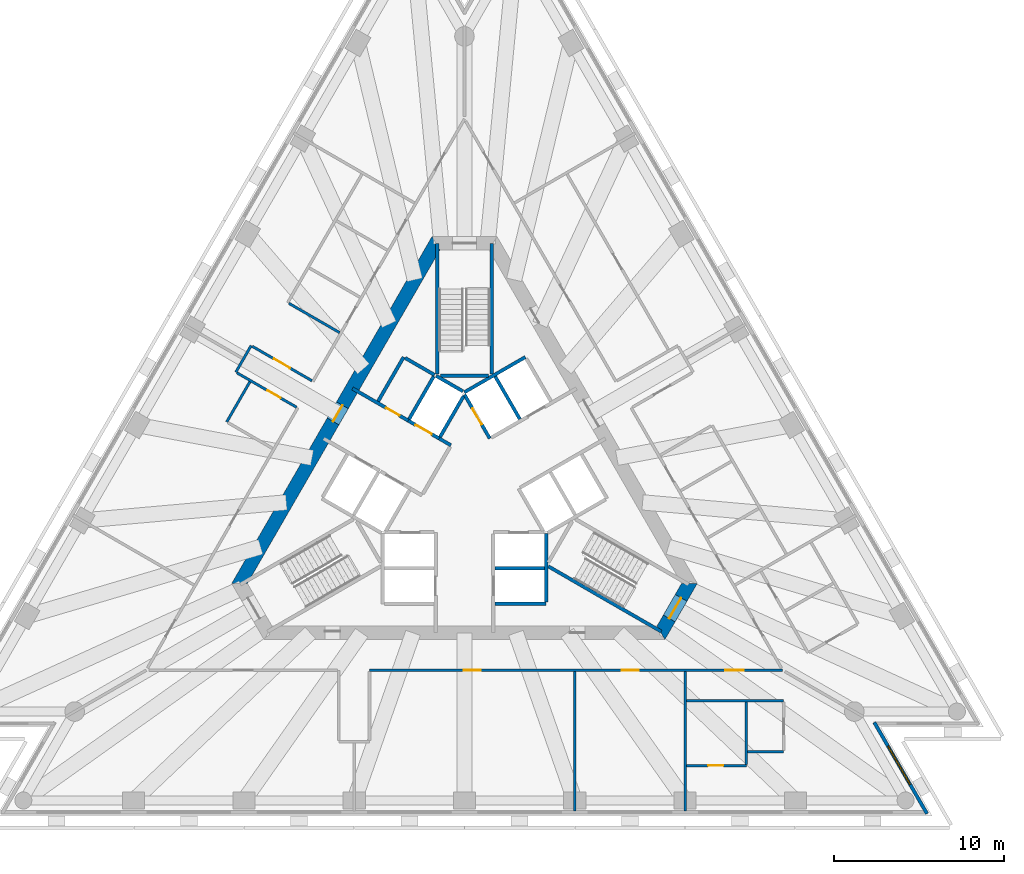
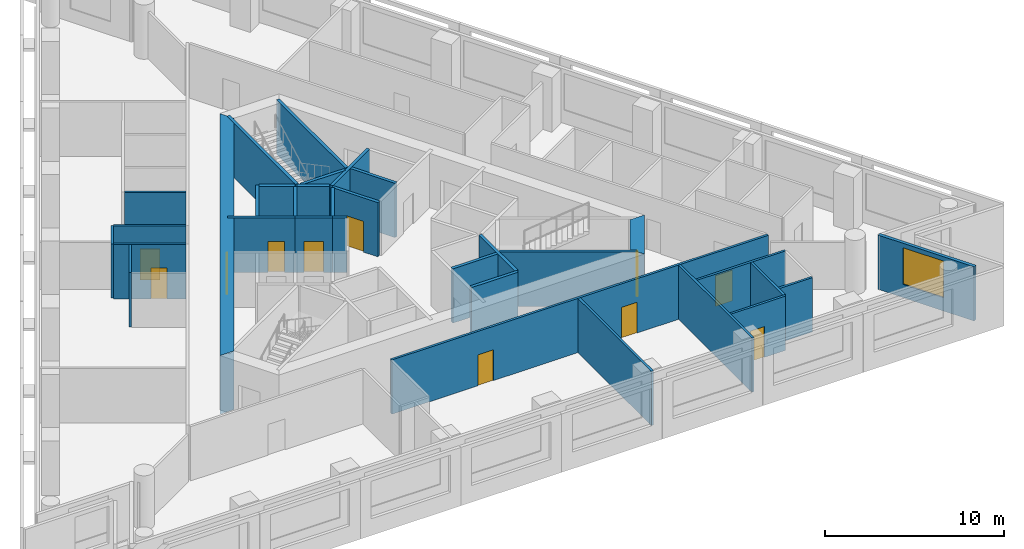
# One storey, part 4 of 9: 33 walls, 11 doors, 1 window, 12 openings.
"""IFC4 building model written with IfcOpenShell, lengths in metres."""

from ifc_helpers import new_model, si_unit, direction, frame, frame_2d, origin, place, context, subcontext, project, spatial, polyline, rectangle, outline, extrude, material, layer, layer_set, layer_usage, type_object, element, fill, save


model = new_model("IFC4")

# Units and contexts
model_context = context("Model", 3, precision=1e-05, world=origin(), true_north=direction((0.0, 1.0)))
body_context = subcontext(model_context, "Body", "Model", "MODEL_VIEW")
ifc_project = project(units=[si_unit("LENGTHUNIT", "METRE"), si_unit("AREAUNIT", "SQUARE_METRE"), si_unit("VOLUMEUNIT", "CUBIC_METRE"), si_unit("PLANEANGLEUNIT", "RADIAN"), si_unit("MASSUNIT", "GRAM", prefix="KILO")], contexts=[model_context])

# Site, building, storey
site_placement = place(None, origin())
site = spatial("IfcSite", under=ifc_project, at=site_placement, CompositionType="ELEMENT")
building_placement = place(site_placement, origin())
building = spatial("IfcBuilding", under=site, at=building_placement, Name="Triada Interchange Tower", CompositionType="ELEMENT")
storey_placement = place(building_placement, frame((0.0, 0.0, 168.300048828125)))
storey = spatial("IfcBuildingStorey", under=building, at=storey_placement, Name="L39", CompositionType="ELEMENT", Elevation=168.300048828125)

# Walls
ifc_material_1 = material(Name="Concrete C30/37", Category="concrete")
ifc_layer_1 = layer(ifc_material_1, 0.199951171875)
ifc_layer_set_1 = layer_set([ifc_layer_1], Name="CORE WALL 200 EI 120")
wall_type_1 = type_object("IfcWallType", Name="CORE WALL 200 EI 120", PredefinedType="SOLIDWALL", material=ifc_layer_set_1)
wall_1_placement = place(storey_placement, frame((1.800048828125, -6.89990234375, 0.0), z_axis=(0.0, 0.0, 1.0), x_axis=(1.0, 0.0, 0.0)))
element("IfcWall", 1, at=wall_1_placement, inside=storey, type_object=wall_type_1, Name="Wall L38 52", PredefinedType="SOLIDWALL", context=body_context, shape_type="SweptSolid", body=[
    extrude(rectangle(XDim=3.0, YDim=0.199951171875, at=frame_2d((1.5, 0.0))), origin(), (0.0, 0.0, 1.0), 3.699951171875),
])
wall_2_placement = place(storey_placement, frame((1.800048828125, -4.800048828125, 0.0), z_axis=(0.0, 0.0, 1.0), x_axis=(1.0, 0.0, 0.0)))
element("IfcWall", 2, at=wall_2_placement, inside=storey, type_object=wall_type_1, Name="Wall L38 54", PredefinedType="SOLIDWALL", context=body_context, shape_type="SweptSolid", body=[
    extrude(rectangle(XDim=2.89990234375, YDim=0.199951171875, at=frame_2d((1.449951171875, 0.0))), origin(), (0.0, 0.0, 1.0), 3.699951171875),
])
wall_3_placement = place(storey_placement, frame((-0.001953125, 5.5419921875, 0.0), z_axis=(0.0, 0.0, 1.0), x_axis=(0.866103910842, 0.499863997127, 0.0)))
element("IfcWall", 3, at=wall_3_placement, inside=storey, type_object=wall_type_1, Name="Wall L38 58", PredefinedType="SOLIDWALL", context=body_context, shape_type="SweptSolid", body=[
    extrude(rectangle(XDim=4.131103515625, YDim=0.199951171875, at=frame_2d((2.0654296875, 0.0))), origin(), (0.0, 0.0, 1.0), 3.699951171875),
])

# Wall, opening, door
wall_4_placement = place(storey_placement, frame((0.0, 5.39990234375, 0.0), z_axis=(0.0, 0.0, 1.0), x_axis=(0.500103862429, -0.865965430478, 0.0)))
wall_4 = element("IfcWall", 4, at=wall_4_placement, inside=storey, type_object=wall_type_1, Name="Wall L38 59", PredefinedType="SOLIDWALL", context=body_context, shape_type="SweptSolid", body=[
    extrude(rectangle(XDim=2.973388671875, YDim=0.199951171875, at=frame_2d((1.48681640625, 0.0))), origin(), (0.0, 0.0, 1.0), 3.699951171875),
])
opening_1_placement = place(wall_4_placement, frame((0.93701171875, 0.0, 0.0)))
opening_1 = element("IfcOpeningElement", 5, at=opening_1_placement, cuts=wall_4, Name="Opening LD-LR5", PredefinedType="OPENING", context=body_context, shape_type="SweptSolid", body=[
    extrude(rectangle(XDim=1.10009765625, YDim=2.10009765625, at=frame_2d((0.550048828125, 1.050048828125))), frame((0.0, 0.10986328125, 0.0), z_axis=(0.0, -1.0, 0.0), x_axis=(1.0, 0.0, 0.0)), (0.0, 0.0, 1.0), 0.219970703125),
])
ifc_material_2 = material(Name="Steel S235 door leaf", Category="steel")
door_type_1 = type_object("IfcDoorType", Name="LIFT LANDING DOOR 1100 EI 120", OperationType="SLIDING_TO_LEFT", PredefinedType="DOOR", material=ifc_material_2)
door_1_placement = place(opening_1_placement, origin())
door_1 = element("IfcDoor", 6, at=door_1_placement, inside=storey, type_object=door_type_1, Name="LR5 landing door L39", OperationType="SLIDING_TO_LEFT", OverallHeight=2.10009765625, OverallWidth=1.10009765625, PredefinedType="DOOR", context=body_context, shape_type="SweptSolid", body=[
    extrude(rectangle(XDim=1.10009765625, YDim=2.10009765625, at=frame_2d((0.550048828125, 1.050048828125))), frame((0.0, 0.02490234375, 0.0), z_axis=(0.0, -1.0, 0.0), x_axis=(1.0, 0.0, 0.0)), (0.0, 0.0, 1.0), 0.050048828125),
])
fill(opening_1, door_1)

# Walls
wall_5_placement = place(storey_placement, frame((4.800048828125, -6.800048828125, 0.0), z_axis=(0.0, 0.0, 1.0), x_axis=(0.0, 1.0, 0.0)))
element("IfcWall", 7, at=wall_5_placement, inside=storey, type_object=wall_type_1, Name="Wall L38 63", PredefinedType="SOLIDWALL", context=body_context, shape_type="SweptSolid", body=[
    extrude(rectangle(XDim=4.029052734375, YDim=0.199951171875, at=frame_2d((2.0146484375, 0.0))), origin(), (0.0, 0.0, 1.0), 3.699951171875),
])
wall_6_placement = place(storey_placement, frame((1.806884765625, 6.469970703125, 0.0), z_axis=(0.0, 0.0, 1.0), x_axis=(0.50012328804, -0.865954211699, 0.0)))
element("IfcWall", 8, at=wall_6_placement, inside=storey, type_object=wall_type_1, Name="Wall L38 66", PredefinedType="SOLIDWALL", context=body_context, shape_type="SweptSolid", body=[
    extrude(rectangle(XDim=2.899658203125, YDim=0.199951171875, at=frame_2d((1.44970703125, 0.0))), origin(), (0.0, 0.0, 1.0), 3.699951171875),
])

# Wall, opening, door
ifc_layer_2 = layer(ifc_material_1, 0.199951171875)
ifc_layer_set_2 = layer_set([ifc_layer_2], Name="CORE WALL 200 EI 180")
wall_type_2 = type_object("IfcWallType", Name="CORE WALL 200 EI 180", PredefinedType="SOLIDWALL", material=ifc_layer_set_2)
wall_7_placement = place(storey_placement, frame((-6.580078125, 5.761962890625, 0.0), z_axis=(0.0, 0.0, 1.0), x_axis=(0.866029704776, -0.49999255039, 0.0)))
wall_7 = element("IfcWall", 9, at=wall_7_placement, inside=storey, type_object=wall_type_2, Name="Wall L38 72", PredefinedType="SOLIDWALL", context=body_context, shape_type="SweptSolid", body=[
    extrude(rectangle(XDim=3.78173828125, YDim=0.199951171875, at=frame_2d((1.890869140625, 0.0))), origin(), (0.0, 0.0, 1.0), 3.699951171875),
])
opening_2_placement = place(wall_7_placement, frame((2.279052734375, 0.0, 0.0)))
opening_2 = element("IfcOpeningElement", 10, at=opening_2_placement, cuts=wall_7, Name="Opening D38-10", PredefinedType="OPENING", context=body_context, shape_type="SweptSolid", body=[
    extrude(rectangle(XDim=0.89990234375, YDim=2.10009765625, at=frame_2d((0.449951171875, 1.050048828125))), frame((0.0, 0.10986328125, 0.0), z_axis=(0.0, -1.0, 0.0), x_axis=(1.0, 0.0, 0.0)), (0.0, 0.0, 1.0), 0.219970703125),
])
door_type_2 = type_object("IfcDoorType", Name="SERVICE DOOR 900 EI2 90-C5S200", OperationType="NOTDEFINED", PredefinedType="DOOR", material=ifc_material_2)
door_2_placement = place(opening_2_placement, origin())
door_2 = element("IfcDoor", 11, at=door_2_placement, inside=storey, type_object=door_type_2, Name="Door D38-10 L39", OperationType="SINGLE_SWING_LEFT", OverallHeight=2.10009765625, OverallWidth=0.89990234375, PredefinedType="DOOR", context=body_context, shape_type="SweptSolid", body=[
    extrude(rectangle(XDim=0.89990234375, YDim=2.10009765625, at=frame_2d((0.449951171875, 1.050048828125))), frame((0.0, 0.02490234375, 0.0), z_axis=(0.0, -1.0, 0.0), x_axis=(1.0, 0.0, 0.0)), (0.0, 0.0, 1.0), 0.050048828125),
])
fill(opening_2, door_2)

# Walls
wall_8_placement = place(storey_placement, frame((-1.488037109375, 2.822021484375, 0.0), z_axis=(0.0, 0.0, 1.0), x_axis=(0.866236612152, -0.499633997809, 0.0)))
element("IfcWall", 12, at=wall_8_placement, inside=storey, type_object=wall_type_2, Name="Wall L38 73", PredefinedType="SOLIDWALL", context=body_context, shape_type="SweptSolid", body=[
    extrude(rectangle(XDim=0.79638671875, YDim=0.199951171875, at=frame_2d((0.398193359375, 0.0))), origin(), (0.0, 0.0, 1.0), 3.699951171875),
])
wall_9_placement = place(storey_placement, frame((-5.075927734375, 5.009033203125, 0.0), z_axis=(0.0, 0.0, 1.0), x_axis=(0.50002537861, 0.866010750942, 0.0)))
element("IfcWall", 13, at=wall_9_placement, inside=storey, type_object=wall_type_2, Name="Wall L38 74", PredefinedType="SOLIDWALL", context=body_context, shape_type="SweptSolid", body=[
    extrude(rectangle(XDim=2.999755859375, YDim=0.199951171875, at=frame_2d((1.5, 0.0))), origin(), (0.0, 0.0, 1.0), 3.699951171875),
])
wall_10_placement = place(storey_placement, frame((-3.489013671875, 7.556884765625, 0.0), z_axis=(0.0, 0.0, 1.0), x_axis=(0.866010750942, -0.50002537861, 0.0)))
element("IfcWall", 14, at=wall_10_placement, inside=storey, type_object=wall_type_2, Name="Wall L38 75", PredefinedType="SOLIDWALL", context=body_context, shape_type="SweptSolid", body=[
    extrude(rectangle(XDim=2.0, YDim=0.199951171875, at=frame_2d((1.0, 0.0))), origin(), (0.0, 0.0, 1.0), 3.699951171875),
])

# Wall, opening, door
wall_11_placement = place(storey_placement, frame((-3.30908203125, 3.873046875, 0.0), z_axis=(0.0, 0.0, 1.0), x_axis=(0.866098583652, -0.499873227325, 0.0)))
wall_11 = element("IfcWall", 15, at=wall_11_placement, inside=storey, type_object=wall_type_2, Name="Shaft wall FF2 L38 81", PredefinedType="SOLIDWALL", context=body_context, shape_type="SweptSolid", body=[
    extrude(rectangle(XDim=2.1025390625, YDim=0.199951171875, at=frame_2d((1.05126953125, 0.0))), origin(), (0.0, 0.0, 1.0), 3.699951171875),
])
opening_3_placement = place(wall_11_placement, frame((0.501953125, 0.0, 0.0)))
opening_3 = element("IfcOpeningElement", 16, at=opening_3_placement, cuts=wall_11, Name="Opening LD-FF2", PredefinedType="OPENING", context=body_context, shape_type="SweptSolid", body=[
    extrude(rectangle(XDim=1.10009765625, YDim=2.10009765625, at=frame_2d((0.550048828125, 1.050048828125))), frame((0.0, 0.10986328125, 0.0), z_axis=(0.0, -1.0, 0.0), x_axis=(1.0, 0.0, 0.0)), (0.0, 0.0, 1.0), 0.219970703125),
])
door_3_placement = place(opening_3_placement, origin())
door_3 = element("IfcDoor", 17, at=door_3_placement, inside=storey, type_object=door_type_1, Name="FF2 landing door L39", OperationType="SLIDING_TO_LEFT", OverallHeight=2.10009765625, OverallWidth=1.10009765625, PredefinedType="DOOR", context=body_context, shape_type="SweptSolid", body=[
    extrude(rectangle(XDim=1.10009765625, YDim=2.10009765625, at=frame_2d((0.550048828125, 1.050048828125))), frame((0.0, 0.02490234375, 0.0), z_axis=(0.0, -1.0, 0.0), x_axis=(1.0, 0.0, 0.0)), (0.0, 0.0, 1.0), 0.050048828125),
])
fill(opening_3, door_3)

# Walls
wall_12_placement = place(storey_placement, frame((-3.257080078125, 3.958984375, 0.0), z_axis=(0.0, 0.0, 1.0), x_axis=(0.50012328804, 0.865954211699, 0.0)))
element("IfcWall", 18, at=wall_12_placement, inside=storey, type_object=wall_type_2, Name="Shaft wall FF2 L38 82", PredefinedType="SOLIDWALL", context=body_context, shape_type="SweptSolid", body=[
    extrude(rectangle(XDim=2.899658203125, YDim=0.199951171875, at=frame_2d((1.44970703125, 0.0))), origin(), (0.0, 0.0, 1.0), 3.699951171875),
])
wall_13_placement = place(storey_placement, frame((-1.669921875, 6.507080078125, 0.0), z_axis=(0.0, 0.0, 1.0), x_axis=(0.865941441609, -0.500145398563, 0.0)))
element("IfcWall", 19, at=wall_13_placement, inside=storey, type_object=wall_type_2, Name="Shaft wall FF2 L38 83", PredefinedType="SOLIDWALL", context=body_context, shape_type="SweptSolid", body=[
    extrude(rectangle(XDim=1.8154296875, YDim=0.199951171875, at=frame_2d((0.90771484375, 0.0))), origin(), (0.0, 0.0, 1.0), 3.699951171875),
])
wall_14_placement = place(storey_placement, frame((-1.43798828125, 2.908935546875, 0.0), z_axis=(0.0, 0.0, 1.0), x_axis=(0.499829630636, 0.866123744241, 0.0)))
element("IfcWall", 20, at=wall_14_placement, inside=storey, type_object=wall_type_2, Name="Shaft wall FF2 L38 84", PredefinedType="SOLIDWALL", context=body_context, shape_type="SweptSolid", body=[
    extrude(rectangle(XDim=2.7607421875, YDim=0.199951171875, at=frame_2d((1.38037109375, 0.0))), origin(), (0.0, 0.0, 1.0), 3.699951171875),
])
ifc_layer_3 = layer(ifc_material_1, 0.199951171875)
ifc_layer_set_3 = layer_set([ifc_layer_3], Name="CORE WALL 200 REI 240")
wall_type_3 = type_object("IfcWallType", Name="CORE WALL 200 REI 240", PredefinedType="SOLIDWALL", material=ifc_layer_set_3)
wall_15_placement = place(storey_placement, frame((1.60009765625, 6.614990234375, 0.0), z_axis=(0.0, 0.0, 1.0), x_axis=(0.0, 1.0, 0.0)))
element("IfcWall", 21, at=wall_15_placement, inside=storey, type_object=wall_type_3, Name="Wall L38 88", PredefinedType="SOLIDWALL", context=body_context, shape_type="SweptSolid", body=[
    extrude(rectangle(XDim=7.6650390625, YDim=0.199951171875, at=frame_2d((3.83251953125, 0.0))), origin(), (0.0, 0.0, 1.0), 3.699951171875),
])
wall_16_placement = place(storey_placement, frame((-1.39990234375, 6.5, 0.0), z_axis=(0.0, 0.0, 1.0), x_axis=(1.0, 0.0, 0.0)))
element("IfcWall", 22, at=wall_16_placement, inside=storey, type_object=wall_type_3, Name="Wall L38 89", PredefinedType="SOLIDWALL", context=body_context, shape_type="SweptSolid", body=[
    extrude(rectangle(XDim=2.7998046875, YDim=0.199951171875, at=frame_2d((1.39990234375, 0.0))), origin(), (0.0, 0.0, 1.0), 3.699951171875),
])
for number, where, z_axis, x_axis, name in (
    (23, (-1.60009765625, 6.614990234375, 0.0), (0.0, 0.0, 1.0), (0.0, 1.0, 0.0), "Wall L38 90"),
    (24, (4.928955078125, -4.693115234375, 0.0), (0.0, 0.0, 1.0), (0.866005769735, -0.50003400563, 0.0), "Wall L38 91"),
):
    element("IfcWall", number, at=place(storey_placement, frame(where, z_axis=z_axis, x_axis=x_axis)), inside=storey, type_object=wall_type_3, Name=name, PredefinedType="SOLIDWALL", context=body_context, shape_type="SweptSolid", body=[
        extrude(rectangle(XDim=7.6650390625, YDim=0.199951171875, at=frame_2d((3.83251953125, 0.0))), origin(), (0.0, 0.0, 1.0), 3.699951171875),
    ])

# Wall, opening, door
ifc_material_3 = material(Name="Concrete C60/75", Category="concrete")
ifc_layer_4 = layer(ifc_material_3, 0.800048828125)
ifc_layer_set_4 = layer_set([ifc_layer_4], Name="Core wall B 800")
wall_type_4 = type_object("IfcWallType", Name="Core wall B 800", PredefinedType="SHEAR", material=ifc_layer_set_4)
wall_17_placement = place(storey_placement, frame((-1.674072265625, 14.300048828125, -0.300048828125), z_axis=(0.0, 0.0, 1.0), x_axis=(-0.499995765644, -0.866027848477, 0.0)))
wall_17 = element("IfcWall", 25, at=wall_17_placement, inside=storey, type_object=wall_type_4, Name="Core wall WB02 L39", PredefinedType="SHEAR", context=body_context, shape_type="SweptSolid", body=[
    extrude(outline(polyline([(-0.23095703125, -0.39990234375), (1.73193359375, -0.39990234375), (3.695068359375, -0.39990234375), (5.657958984375, -0.39990234375), (7.62109375, -0.39990234375), (9.583984375, -0.39990234375), (11.546875, -0.39990234375), (13.510009765625, -0.39990234375), (15.472900390625, -0.39990234375), (17.43603515625, -0.39990234375), (19.39892578125, -0.39990234375), (21.362060546875, -0.39990234375), (23.324951171875, -0.39990234375), (22.863037109375, 0.39990234375), (20.97705078125, 0.39990234375), (19.091064453125, 0.39990234375), (17.205078125, 0.39990234375), (15.319091796875, 0.39990234375), (13.43310546875, 0.39990234375), (11.546875, 0.39990234375), (9.660888671875, 0.39990234375), (7.77490234375, 0.39990234375), (5.888916015625, 0.39990234375), (4.0029296875, 0.39990234375), (2.116943359375, 0.39990234375), (0.23095703125, 0.39990234375), (-0.23095703125, -0.39990234375)])), origin(), (0.0, 0.0, 1.0), 4.0),
])
opening_4_placement = place(wall_17_placement, frame((10.9970703125, 0.0, 0.300048828125)))
opening_4 = element("IfcOpeningElement", 26, at=opening_4_placement, cuts=wall_17, Name="Opening D38-39", PredefinedType="OPENING", context=body_context, shape_type="SweptSolid", body=[
    extrude(rectangle(XDim=1.10009765625, YDim=2.10009765625, at=frame_2d((0.550048828125, 1.050048828125))), frame((0.0, 0.409912109375, 0.0), z_axis=(0.0, -1.0, 0.0), x_axis=(1.0, 0.0, 0.0)), (0.0, 0.0, 1.0), 0.820068359375),
])
door_type_3 = type_object("IfcDoorType", Name="FIRE LOBBY DOOR 1100 EI2 90-C5S200", OperationType="NOTDEFINED", PredefinedType="DOOR", material=ifc_material_2)
door_4_placement = place(opening_4_placement, origin())
door_4 = element("IfcDoor", 27, at=door_4_placement, inside=storey, type_object=door_type_3, Name="Door D38-39 L39", OperationType="SINGLE_SWING_LEFT", OverallHeight=2.10009765625, OverallWidth=1.10009765625, PredefinedType="DOOR", context=body_context, shape_type="SweptSolid", body=[
    extrude(rectangle(XDim=1.10009765625, YDim=2.10009765625, at=frame_2d((0.550048828125, 1.050048828125))), frame((0.0, 0.02490234375, 0.0), z_axis=(0.0, -1.0, 0.0), x_axis=(1.0, 0.0, 0.0)), (0.0, 0.0, 1.0), 0.050048828125),
])
fill(opening_4, door_4)

wall_18_placement = place(storey_placement, frame((11.547119140625, -8.60009765625, -0.300048828125), z_axis=(0.0, 0.0, 1.0), x_axis=(0.49987182685, 0.866099391942, 0.0)))
wall_18 = element("IfcWall", 28, at=wall_18_placement, inside=storey, type_object=wall_type_4, Name="Core wall WB05 L39", PredefinedType="SHEAR", context=body_context, shape_type="SweptSolid", body=[
    extrude(outline(polyline([(-0.23095703125, -0.39990234375), (1.674072265625, -0.39990234375), (3.5791015625, -0.39990234375), (3.117919921875, 0.39990234375), (1.67431640625, 0.39990234375), (0.23095703125, 0.39990234375), (-0.23095703125, -0.39990234375)])), origin(), (0.0, 0.0, 1.0), 4.0),
])
opening_5_placement = place(wall_18_placement, frame((0.97412109375, 0.0, 0.300048828125)))
opening_5 = element("IfcOpeningElement", 29, at=opening_5_placement, cuts=wall_18, Name="Opening D38-38", PredefinedType="OPENING", context=body_context, shape_type="SweptSolid", body=[
    extrude(rectangle(XDim=1.39990234375, YDim=2.10009765625, at=frame_2d((0.699951171875, 1.050048828125))), frame((0.0, 0.409912109375, 0.0), z_axis=(0.0, -1.0, 0.0), x_axis=(1.0, 0.0, 0.0)), (0.0, 0.0, 1.0), 0.820068359375),
])
door_type_4 = type_object("IfcDoorType", Name="STAIR DOOR 1400 EI2 90-C5S200", OperationType="DOUBLE_DOOR_SINGLE_SWING", PredefinedType="DOOR", material=ifc_material_2)
door_5_placement = place(opening_5_placement, origin())
door_5 = element("IfcDoor", 30, at=door_5_placement, inside=storey, type_object=door_type_4, Name="Door D38-38 L39", OperationType="DOUBLE_DOOR_SINGLE_SWING", OverallHeight=2.10009765625, OverallWidth=1.39990234375, PredefinedType="DOOR", context=body_context, shape_type="SweptSolid", body=[
    extrude(rectangle(XDim=1.39990234375, YDim=2.10009765625, at=frame_2d((0.699951171875, 1.050048828125))), frame((0.0, 0.02490234375, 0.0), z_axis=(0.0, -1.0, 0.0), x_axis=(1.0, 0.0, 0.0)), (0.0, 0.0, 1.0), 0.050048828125),
])
fill(opening_5, door_5)

# Wall, opening, window
ifc_material_4 = material(Name="Cement board")
ifc_layer_5 = layer(ifc_material_4, 0.02001953125, Name="Cement board cladding")
ifc_material_5 = material(Name="Sheathing board")
ifc_layer_6 = layer(ifc_material_5, 0.014892578125, Name="Sheathing board")
ifc_material_6 = material(Name="Mineral wool")
ifc_layer_7 = layer(ifc_material_6, 0.14990234375, Name="Mineral wool between steel studs")
ifc_material_7 = material(Name="Gypsum board")
ifc_layer_8 = layer(ifc_material_7, 0.014892578125, Name="Plasterboard lining")
ifc_layer_set_5 = layer_set([ifc_layer_5, ifc_layer_6, ifc_layer_7, ifc_layer_8], Name="External wall 200")
ifc_layer_usage = layer_usage(ifc_layer_set_5, "AXIS2", "POSITIVE", -0.10009765625)
wall_type_5 = type_object("IfcWallType", Name="External wall 200", PredefinedType="ELEMENTEDWALL", material=ifc_layer_set_5)
wall_19_placement = place(storey_placement, frame((27.18701171875, -19.23193359375, 0.0), z_axis=(0.0, 0.0, 1.0), x_axis=(-0.499932836684, 0.86606417707, 0.0)))
wall_19 = element("IfcWall", 31, at=wall_19_placement, inside=storey, type_object=wall_type_5, material=ifc_layer_usage, Name="External wall L39 SE-1", PredefinedType="ELEMENTEDWALL", context=body_context, shape_type="SweptSolid", body=[
    extrude(rectangle(XDim=6.194580078125, YDim=0.199951171875, at=frame_2d((3.09716796875, 0.0))), origin(), (0.0, 0.0, 1.0), 3.699951171875),
])
opening_6_placement = place(wall_19_placement, frame((1.989990234375, 0.0, 0.89990234375)))
opening_6 = element("IfcOpeningElement", 32, at=opening_6_placement, cuts=wall_19, Name="Opening WB19", PredefinedType="OPENING", context=body_context, shape_type="SweptSolid", body=[
    extrude(rectangle(XDim=2.60009765625, YDim=2.5, at=frame_2d((1.300048828125, 1.25))), frame((0.0, 0.10986328125, 0.0), z_axis=(0.0, -1.0, 0.0), x_axis=(1.0, 0.0, 0.0)), (0.0, 0.0, 1.0), 0.219970703125),
])
ifc_material_8 = material(Name="Double glazed aluminium window", Category="aluminium")
window_type = type_object("IfcWindowType", Name="Ribbon window B pocket", PartitioningType="SINGLE_PANEL", PredefinedType="WINDOW", material=ifc_material_8)
window_placement = place(opening_6_placement, origin())
window = element("IfcWindow", 33, at=window_placement, inside=storey, type_object=window_type, Name="Window L39 SE-1 1", OverallHeight=2.5, OverallWidth=2.60009765625, PartitioningType="SINGLE_PANEL", PredefinedType="WINDOW", context=body_context, shape_type="SweptSolid", body=[
    extrude(rectangle(XDim=2.60009765625, YDim=2.5, at=frame_2d((1.300048828125, 1.25))), frame((0.0, 0.030029296875, 0.0), z_axis=(0.0, -1.0, 0.0), x_axis=(1.0, 0.0, 0.0)), (0.0, 0.0, 1.0), 0.06005859375),
])
fill(opening_6, window)

# Wall, openings, doors
ifc_material_9 = material(Name="Gypsum board partition")
ifc_layer_9 = layer(ifc_material_9, 0.14990234375)
ifc_layer_set_6 = layer_set([ifc_layer_9], Name="PARTITION 150 EI 180")
wall_type_6 = type_object("IfcWallType", Name="PARTITION 150 EI 180", PredefinedType="PARTITIONING", material=ifc_layer_set_6)
wall_20_placement = place(storey_placement, frame((-5.5810546875, -10.800048828125, 0.0), z_axis=(0.0, 0.0, 1.0), x_axis=(1.0, 0.0, 0.0)))
wall_20 = element("IfcWall", 34, at=wall_20_placement, inside=storey, type_object=wall_type_6, Name="Wall L38 7", PredefinedType="PARTITIONING", context=body_context, shape_type="SweptSolid", body=[
    extrude(rectangle(XDim=24.287109375, YDim=0.14990234375, at=frame_2d((12.1435546875, 0.0))), origin(), (0.0, 0.0, 1.0), 3.699951171875),
])
opening_7_placement = place(wall_20_placement, frame((5.549072265625, 0.0, 0.0)))
opening_7 = element("IfcOpeningElement", 35, at=opening_7_placement, cuts=wall_20, Name="Opening D38-12", PredefinedType="OPENING", context=body_context, shape_type="SweptSolid", body=[
    extrude(rectangle(XDim=1.0, YDim=2.10009765625, at=frame_2d((0.5, 1.050048828125))), frame((0.0, 0.0849609375, 0.0), z_axis=(0.0, -1.0, 0.0), x_axis=(1.0, 0.0, 0.0)), (0.0, 0.0, 1.0), 0.169921875),
])
opening_8_placement = place(wall_20_placement, frame((14.81298828125, 0.0, 0.0)))
opening_8 = element("IfcOpeningElement", 36, at=opening_8_placement, cuts=wall_20, Name="Opening D38-13", PredefinedType="OPENING", context=body_context, shape_type="SweptSolid", body=[
    extrude(rectangle(XDim=1.0, YDim=2.10009765625, at=frame_2d((0.5, 1.050048828125))), frame((0.0, 0.0849609375, 0.0), z_axis=(0.0, -1.0, 0.0), x_axis=(1.0, 0.0, 0.0)), (0.0, 0.0, 1.0), 0.169921875),
])
opening_9_placement = place(wall_20_placement, frame((20.89501953125, 0.0, 0.0)))
opening_9 = element("IfcOpeningElement", 37, at=opening_9_placement, cuts=wall_20, Name="Opening D38-14", PredefinedType="OPENING", context=body_context, shape_type="SweptSolid", body=[
    extrude(rectangle(XDim=1.10009765625, YDim=2.10009765625, at=frame_2d((0.550048828125, 1.050048828125))), frame((0.0, 0.0849609375, 0.0), z_axis=(0.0, -1.0, 0.0), x_axis=(1.0, 0.0, 0.0)), (0.0, 0.0, 1.0), 0.169921875),
])
door_type_5 = type_object("IfcDoorType", Name="ROOM DOOR 1000 EI2 90-C5S200", OperationType="NOTDEFINED", PredefinedType="DOOR", material=ifc_material_2)
door_6_placement = place(opening_7_placement, origin())
door_6 = element("IfcDoor", 38, at=door_6_placement, inside=storey, type_object=door_type_5, Name="Door D38-12 L39", OperationType="SINGLE_SWING_RIGHT", OverallHeight=2.10009765625, OverallWidth=1.0, PredefinedType="DOOR", context=body_context, shape_type="SweptSolid", body=[
    extrude(rectangle(XDim=1.0, YDim=2.10009765625, at=frame_2d((0.5, 1.050048828125))), frame((0.0, 0.02490234375, 0.0), z_axis=(0.0, -1.0, 0.0), x_axis=(1.0, 0.0, 0.0)), (0.0, 0.0, 1.0), 0.050048828125),
])
fill(opening_7, door_6)
door_7_placement = place(opening_8_placement, origin())
door_7 = element("IfcDoor", 39, at=door_7_placement, inside=storey, type_object=door_type_5, Name="Door D38-13 L39", OperationType="SINGLE_SWING_RIGHT", OverallHeight=2.10009765625, OverallWidth=1.0, PredefinedType="DOOR", context=body_context, shape_type="SweptSolid", body=[
    extrude(rectangle(XDim=1.0, YDim=2.10009765625, at=frame_2d((0.5, 1.050048828125))), frame((0.0, 0.02490234375, 0.0), z_axis=(0.0, -1.0, 0.0), x_axis=(1.0, 0.0, 0.0)), (0.0, 0.0, 1.0), 0.050048828125),
])
fill(opening_8, door_7)
door_type_6 = type_object("IfcDoorType", Name="TENANCY ENTRANCE DOOR 1100 EI2 90-C5S200", OperationType="NOTDEFINED", PredefinedType="DOOR", material=ifc_material_2)
door_8_placement = place(opening_9_placement, origin())
door_8 = element("IfcDoor", 40, at=door_8_placement, inside=storey, type_object=door_type_6, Name="Door D38-14 L39", OperationType="SINGLE_SWING_LEFT", OverallHeight=2.10009765625, OverallWidth=1.10009765625, PredefinedType="DOOR", context=body_context, shape_type="SweptSolid", body=[
    extrude(rectangle(XDim=1.10009765625, YDim=2.10009765625, at=frame_2d((0.550048828125, 1.050048828125))), frame((0.0, 0.02490234375, 0.0), z_axis=(0.0, -1.0, 0.0), x_axis=(1.0, 0.0, 0.0)), (0.0, 0.0, 1.0), 0.050048828125),
])
fill(opening_9, door_8)

# Wall
wall_21_placement = place(storey_placement, frame((-13.43994140625, 6.719970703125, 0.0), z_axis=(0.0, 0.0, 1.0), x_axis=(0.499902469156, 0.866081705922, 0.0)))
element("IfcWall", 41, at=wall_21_placement, inside=storey, type_object=wall_type_6, Name="Wall L38 12", PredefinedType="PARTITIONING", context=body_context, shape_type="SweptSolid", body=[
    extrude(rectangle(XDim=1.800048828125, YDim=0.14990234375, at=frame_2d((0.89990234375, 0.0))), origin(), (0.0, 0.0, 1.0), 3.699951171875),
])

# Wall, opening, door
wall_22_placement = place(storey_placement, frame((-12.47509765625, 8.241943359375, 0.0), z_axis=(0.0, 0.0, 1.0), x_axis=(0.865955608197, -0.500120870022, 0.0)))
wall_22 = element("IfcWall", 42, at=wall_22_placement, inside=storey, type_object=wall_type_6, Name="Wall L38 13", PredefinedType="PARTITIONING", context=body_context, shape_type="SweptSolid", body=[
    extrude(rectangle(XDim=4.048828125, YDim=0.14990234375, at=frame_2d((2.0244140625, 0.0))), origin(), (0.0, 0.0, 1.0), 3.699951171875),
])
opening_10_placement = place(wall_22_placement, frame((1.47509765625, 0.0, 0.0)))
opening_10 = element("IfcOpeningElement", 43, at=opening_10_placement, cuts=wall_22, Name="Opening D38-28", PredefinedType="OPENING", context=body_context, shape_type="SweptSolid", body=[
    extrude(rectangle(XDim=1.10009765625, YDim=2.10009765625, at=frame_2d((0.550048828125, 1.050048828125))), frame((0.0, 0.0849609375, 0.0), z_axis=(0.0, -1.0, 0.0), x_axis=(1.0, 0.0, 0.0)), (0.0, 0.0, 1.0), 0.169921875),
])
door_9_placement = place(opening_10_placement, origin())
door_9 = element("IfcDoor", 44, at=door_9_placement, inside=storey, type_object=door_type_6, Name="Door D38-28 L39", OperationType="SINGLE_SWING_LEFT", OverallHeight=2.10009765625, OverallWidth=1.10009765625, PredefinedType="DOOR", context=body_context, shape_type="SweptSolid", body=[
    extrude(rectangle(XDim=1.10009765625, YDim=2.10009765625, at=frame_2d((0.550048828125, 1.050048828125))), frame((0.0, 0.02490234375, 0.0), z_axis=(0.0, -1.0, 0.0), x_axis=(1.0, 0.0, 0.0)), (0.0, 0.0, 1.0), 0.050048828125),
])
fill(opening_10, door_9)

wall_23_placement = place(storey_placement, frame((-13.375, 6.68310546875, 0.0), z_axis=(0.0, 0.0, 1.0), x_axis=(0.865929493314, -0.500166085025, 0.0)))
wall_23 = element("IfcWall", 45, at=wall_23_placement, inside=storey, type_object=wall_type_6, Name="Wall L38 14", PredefinedType="PARTITIONING", context=body_context, shape_type="SweptSolid", body=[
    extrude(rectangle(XDim=4.048828125, YDim=0.14990234375, at=frame_2d((2.0244140625, 0.0))), origin(), (0.0, 0.0, 1.0), 3.699951171875),
])
opening_11_placement = place(wall_23_placement, frame((2.074951171875, 0.0, 0.0)))
opening_11 = element("IfcOpeningElement", 46, at=opening_11_placement, cuts=wall_23, Name="Opening D38-33", PredefinedType="OPENING", context=body_context, shape_type="SweptSolid", body=[
    extrude(rectangle(XDim=0.89990234375, YDim=2.10009765625, at=frame_2d((0.449951171875, 1.050048828125))), frame((0.0, 0.0849609375, 0.0), z_axis=(0.0, -1.0, 0.0), x_axis=(1.0, 0.0, 0.0)), (0.0, 0.0, 1.0), 0.169921875),
])
door_type_7 = type_object("IfcDoorType", Name="ROOM DOOR 900 EI2 90-C5S200", OperationType="NOTDEFINED", PredefinedType="DOOR", material=ifc_material_2)
door_10_placement = place(opening_11_placement, origin())
door_10 = element("IfcDoor", 47, at=door_10_placement, inside=storey, type_object=door_type_7, Name="Door D38-33 L39", OperationType="SINGLE_SWING_RIGHT", OverallHeight=2.10009765625, OverallWidth=0.89990234375, PredefinedType="DOOR", context=body_context, shape_type="SweptSolid", body=[
    extrude(rectangle(XDim=0.89990234375, YDim=2.10009765625, at=frame_2d((0.449951171875, 1.050048828125))), frame((0.0, 0.02490234375, 0.0), z_axis=(0.0, -1.0, 0.0), x_axis=(1.0, 0.0, 0.0)), (0.0, 0.0, 1.0), 0.050048828125),
])
fill(opening_11, door_10)

# Walls
wall_24_placement = place(storey_placement, frame((-13.97412109375, 3.7958984375, 0.0), z_axis=(0.0, 0.0, 1.0), x_axis=(0.500004325324, 0.866022906543, 0.0)))
element("IfcWall", 48, at=wall_24_placement, inside=storey, type_object=wall_type_6, Name="Wall L38 15", PredefinedType="PARTITIONING", context=body_context, shape_type="SweptSolid", body=[
    extrude(rectangle(XDim=2.72412109375, YDim=0.14990234375, at=frame_2d((1.362060546875, 0.0))), origin(), (0.0, 0.0, 1.0), 3.699951171875),
])
wall_25_placement = place(storey_placement, frame((-10.323974609375, 10.76904296875, 0.0), z_axis=(0.0, 0.0, 1.0), x_axis=(0.866031223622, -0.49998991961, 0.0)))
element("IfcWall", 49, at=wall_25_placement, inside=storey, type_object=wall_type_6, Name="Wall L38 19", PredefinedType="PARTITIONING", context=body_context, shape_type="SweptSolid", body=[
    extrude(rectangle(XDim=3.4501953125, YDim=0.14990234375, at=frame_2d((1.72509765625, 0.0))), origin(), (0.0, 0.0, 1.0), 3.699951171875),
])
for number, where, z_axis, x_axis, name in (
    (50, (6.48193359375, -19.073974609375, 0.0), (0.0, 0.0, 1.0), (0.0, 1.0, 0.0), "Wall L38 30"),
    (51, (12.964111328125, -19.073974609375, 0.0), (0.0, 0.0, 1.0), (0.0, 1.0, 0.0), "Wall L38 35"),
):
    element("IfcWall", number, at=place(storey_placement, frame(where, z_axis=z_axis, x_axis=x_axis)), inside=storey, type_object=wall_type_6, Name=name, PredefinedType="PARTITIONING", context=body_context, shape_type="SweptSolid", body=[
        extrude(rectangle(XDim=8.198974609375, YDim=0.14990234375, at=frame_2d((4.099609375, 0.0))), origin(), (0.0, 0.0, 1.0), 3.699951171875),
    ])

# Wall, opening, door
ifc_layer_10 = layer(ifc_material_9, 0.14990234375)
ifc_layer_set_7 = layer_set([ifc_layer_10], Name="PARTITION 150 EI 90")
wall_type_7 = type_object("IfcWallType", Name="PARTITION 150 EI 90", PredefinedType="PARTITIONING", material=ifc_layer_set_7)
wall_26_placement = place(storey_placement, frame((13.0390625, -16.39990234375, 0.0), z_axis=(0.0, 0.0, 1.0), x_axis=(1.0, 0.0, 0.0)))
wall_26 = element("IfcWall", 52, at=wall_26_placement, inside=storey, type_object=wall_type_7, Name="Wall L38 39", PredefinedType="PARTITIONING", context=body_context, shape_type="SweptSolid", body=[
    extrude(rectangle(XDim=3.52490234375, YDim=0.14990234375, at=frame_2d((1.762451171875, 0.0))), origin(), (0.0, 0.0, 1.0), 3.699951171875),
])
opening_12_placement = place(wall_26_placement, frame((1.27490234375, 0.0, 0.0)))
opening_12 = element("IfcOpeningElement", 53, at=opening_12_placement, cuts=wall_26, Name="Opening D38-15", PredefinedType="OPENING", context=body_context, shape_type="SweptSolid", body=[
    extrude(rectangle(XDim=0.89990234375, YDim=2.10009765625, at=frame_2d((0.449951171875, 1.050048828125))), frame((0.0, 0.0849609375, 0.0), z_axis=(0.0, -1.0, 0.0), x_axis=(1.0, 0.0, 0.0)), (0.0, 0.0, 1.0), 0.169921875),
])
door_type_8 = type_object("IfcDoorType", Name="ROOM DOOR 900 EI2 45-C5S200", OperationType="NOTDEFINED", PredefinedType="DOOR", material=ifc_material_2)
door_11_placement = place(opening_12_placement, origin())
door_11 = element("IfcDoor", 54, at=door_11_placement, inside=storey, type_object=door_type_8, Name="Door D38-15 L39", OperationType="SINGLE_SWING_LEFT", OverallHeight=2.10009765625, OverallWidth=0.89990234375, PredefinedType="DOOR", context=body_context, shape_type="SweptSolid", body=[
    extrude(rectangle(XDim=0.89990234375, YDim=2.10009765625, at=frame_2d((0.449951171875, 1.050048828125))), frame((0.0, 0.02490234375, 0.0), z_axis=(0.0, -1.0, 0.0), x_axis=(1.0, 0.0, 0.0)), (0.0, 0.0, 1.0), 0.050048828125),
])
fill(opening_12, door_11)

# Walls
wall_27_placement = place(storey_placement, frame((16.56396484375, -16.324951171875, 0.0), z_axis=(0.0, 0.0, 1.0), x_axis=(0.0, 1.0, 0.0)))
element("IfcWall", 55, at=wall_27_placement, inside=storey, type_object=wall_type_7, Name="Wall L38 40", PredefinedType="PARTITIONING", context=body_context, shape_type="SweptSolid", body=[
    extrude(rectangle(XDim=3.64990234375, YDim=0.14990234375, at=frame_2d((1.824951171875, 0.0))), origin(), (0.0, 0.0, 1.0), 3.699951171875),
])
wall_28_placement = place(storey_placement, frame((13.0390625, -12.60009765625, 0.0), z_axis=(0.0, 0.0, 1.0), x_axis=(1.0, 0.0, 0.0)))
element("IfcWall", 56, at=wall_28_placement, inside=storey, type_object=wall_type_7, Name="Wall L38 41", PredefinedType="PARTITIONING", context=body_context, shape_type="SweptSolid", body=[
    extrude(rectangle(XDim=5.724853515625, YDim=0.14990234375, at=frame_2d((2.8623046875, 0.0))), origin(), (0.0, 0.0, 1.0), 3.699951171875),
])
wall_29_placement = place(storey_placement, frame((16.638916015625, -15.60009765625, 0.0), z_axis=(0.0, 0.0, 1.0), x_axis=(1.0, 0.0, 0.0)))
element("IfcWall", 57, at=wall_29_placement, inside=storey, type_object=wall_type_7, Name="Wall L38 42", PredefinedType="PARTITIONING", context=body_context, shape_type="SweptSolid", body=[
    extrude(rectangle(XDim=2.125, YDim=0.14990234375, at=frame_2d((1.0625, 0.0))), origin(), (0.0, 0.0, 1.0), 3.699951171875),
])

save(model, "model.ifc")
